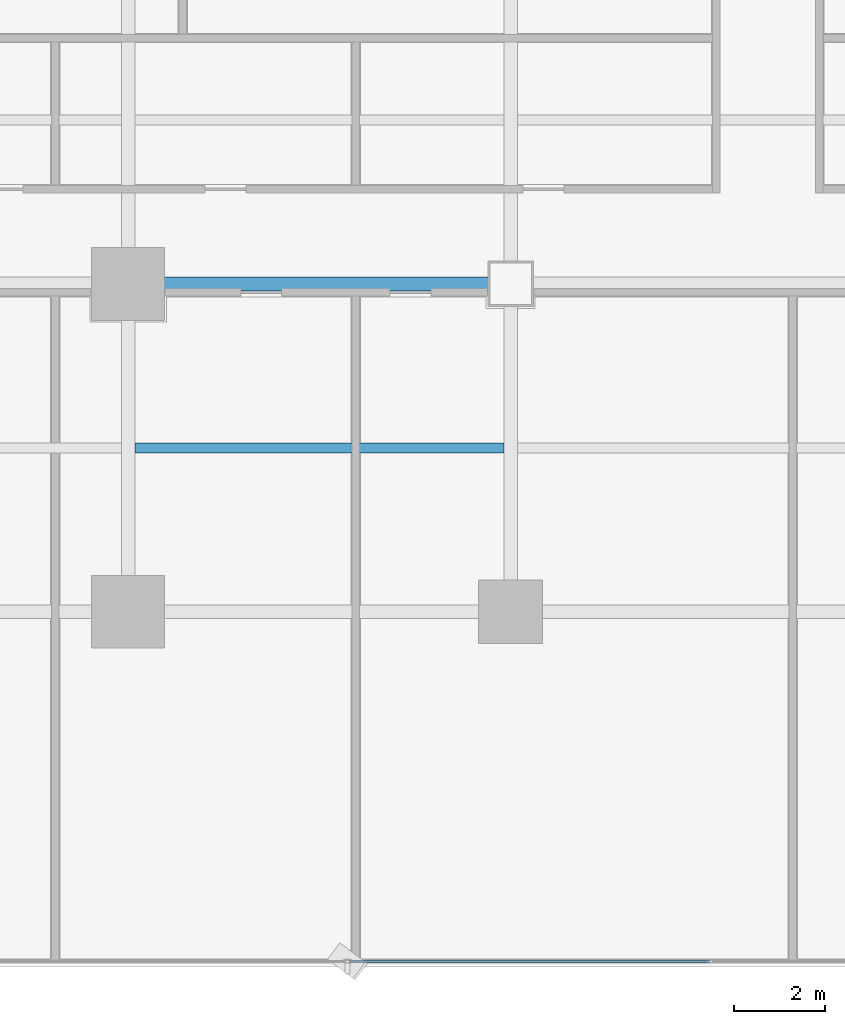
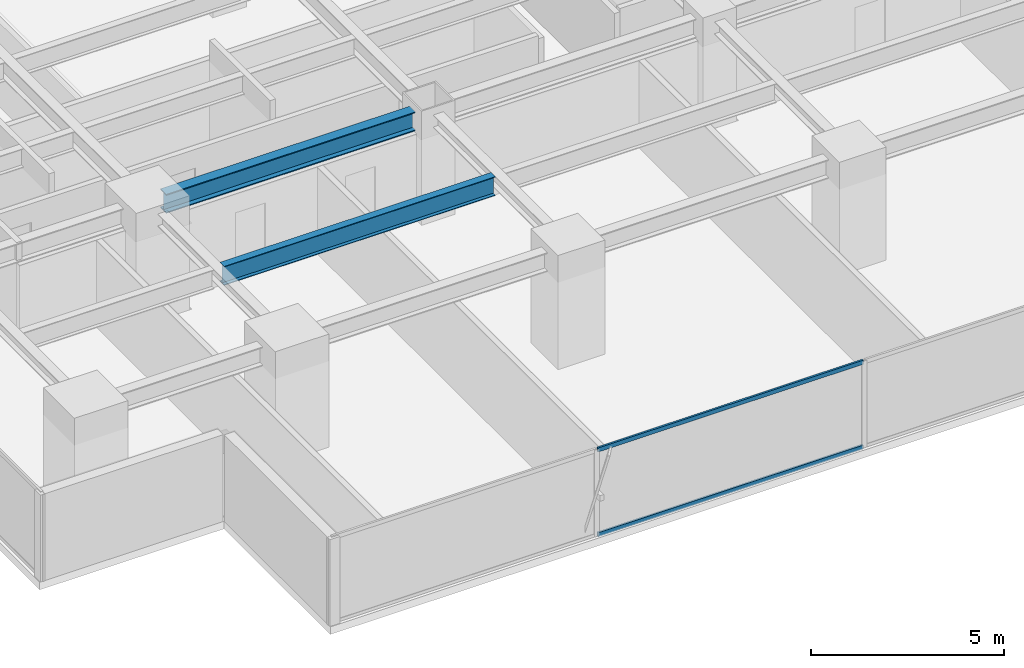
# One storey, part 5 of 34: 2 beams, 2 members, 1 element without a shape of its own.
"""IFC4 building model written with IfcOpenShell, lengths in metres."""

from ifc_helpers import new_model, si_unit, direction, frame, origin, origin_2d, place, context, subcontext, project, spatial, hollow_rectangle, i_section, extrude, source, transform, mapped, material, layer, layer_set, material_profile, profile_set, type_object, element, aggregate, save


model = new_model("IFC4")

# Units and contexts
model_context = context("Model", 3, precision=1e-05, world=origin(), true_north=direction((0.0, 1.0)))
body_context = subcontext(model_context, "Body", "Model", "MODEL_VIEW")
ifc_project = project(units=[si_unit("LENGTHUNIT", "METRE"), si_unit("AREAUNIT", "SQUARE_METRE"), si_unit("VOLUMEUNIT", "CUBIC_METRE"), si_unit("PLANEANGLEUNIT", "RADIAN"), si_unit("MASSUNIT", "GRAM", prefix="KILO")], contexts=[model_context])

# Site, building, storey
site_placement = place(None, origin())
site = spatial("IfcSite", under=ifc_project, at=site_placement, CompositionType="ELEMENT")
building_placement = place(site_placement, origin())
building = spatial("IfcBuilding", under=site, at=building_placement, Name="Sumidabori Civic Tower", CompositionType="ELEMENT")
storey_placement = place(building_placement, frame((0.0, 0.0, 106.39990234375)))
storey = spatial("IfcBuildingStorey", under=building, at=storey_placement, Name="L27", CompositionType="ELEMENT", Elevation=106.39990234375)

# Beams
ifc_material_1 = material(Name="Steel SN490", Category="steel")
ifc_material_profile_1 = material_profile(ifc_material_1, i_section(OverallWidth=0.300048828125, OverallDepth=0.60009765625, WebThickness=0.015380859375, FlangeThickness=0.030029296875, at=origin_2d()), Name="HE 600 B")
ifc_profile_set_1 = profile_set([ifc_material_profile_1], Name="Steel SN490")
beam_type_1 = type_object("IfcBeamType", Name="BM-GIRD-600", PredefinedType="BEAM", material=ifc_profile_set_1)
shared_shape_1 = source(origin(), body_context, "Body", "SweptSolid", [
    extrude(i_section(OverallWidth=0.300048828125, OverallDepth=0.60009765625, WebThickness=0.015380859375, FlangeThickness=0.030029296875, at=origin_2d()), origin(), (0.0, 0.0, 1.0), 7.440185546875),
])
beam_1_placement = place(storey_placement, frame((-16.320068359375, -10.800048828125, 3.06005859375), z_axis=(1.0, 0.0, 0.0), x_axis=(0.0, 1.0, 0.0)))
element("IfcBeam", 1, at=beam_1_placement, inside=storey, type_object=beam_type_1, Name="Primary Girder L27 GX-08", PredefinedType="BEAM", context=body_context, shape_type="MappedRepresentation", body=[
    mapped(shared_shape_1, transform((0.0, 0.0, 0.0), x_axis=(1.0, 0.0, 0.0), y_axis=(0.0, 1.0, 0.0), z_axis=(0.0, 0.0, 1.0), scale=1.0)),
])
ifc_material_profile_2 = material_profile(ifc_material_1, i_section(OverallWidth=0.219970703125, OverallDepth=0.60009765625, WebThickness=0.011962890625, FlangeThickness=0.01904296875, at=origin_2d()), Name="IPE 600")
ifc_profile_set_2 = profile_set([ifc_material_profile_2], Name="Steel SN490")
beam_type_2 = type_object("IfcBeamType", Name="BM-JST-600", PredefinedType="JOIST", material=ifc_profile_set_2)
shared_shape_2 = source(origin(), body_context, "Body", "SweptSolid", [
    extrude(i_section(OverallWidth=0.219970703125, OverallDepth=0.60009765625, WebThickness=0.011962890625, FlangeThickness=0.01904296875, at=origin_2d()), origin(), (0.0, 0.0, 1.0), 8.099853515625),
])
beam_2_placement = place(storey_placement, frame((-16.64990234375, -14.39990234375, 3.06005859375), z_axis=(1.0, 0.0, 0.0), x_axis=(0.0, 1.0, 0.0)))
element("IfcBeam", 2, at=beam_2_placement, inside=storey, type_object=beam_type_2, Name="South Bay Floor Joist L27 JSTS-55", PredefinedType="JOIST", context=body_context, shape_type="MappedRepresentation", body=[
    mapped(shared_shape_2, transform((0.0, 0.0, 0.0), x_axis=(1.0, 0.0, 0.0), y_axis=(0.0, 1.0, 0.0), z_axis=(0.0, 0.0, 1.0), scale=1.0)),
])

# Curtain wall, members
ifc_material_2 = material(Name="Anodised Bronze Aluminium AW-6063-T6", Category="aluminium")
ifc_layer = layer(ifc_material_2, 0.179931640625, Name="Anodised Bronze Aluminium AW-6063-T6")
ifc_layer_set = layer_set([ifc_layer], Name="Anodised Bronze Aluminium AW-6063-T6")
curtain_wall_type = type_object("IfcCurtainWallType", Name="CW-SYS-3", PredefinedType="NOTDEFINED", material=ifc_layer_set)
curtain_wall_placement = place(storey_placement, origin())
curtain_wall = element("IfcCurtainWall", 3, at=curtain_wall_placement, inside=storey, type_object=curtain_wall_type, Name="Curtain Wall CW:L27:R01", PredefinedType="NOTDEFINED")
ifc_material_profile_3 = material_profile(ifc_material_2, hollow_rectangle(XDim=0.06005859375, YDim=0.1298828125, WallThickness=0.0048828125, at=origin_2d()), Name="ALU TRANSOM 130x60")
ifc_profile_set_3 = profile_set([ifc_material_profile_3], Name="Anodised Bronze Aluminium AW-6063-T6")
member_type = type_object("IfcMemberType", Name="CW-TRN-130", PredefinedType="USERDEFINED", material=ifc_profile_set_3)
shared_shape_3 = source(origin(), body_context, "Body", "SweptSolid", [
    extrude(hollow_rectangle(XDim=0.06005859375, YDim=0.1298828125, WallThickness=0.0048828125, at=origin_2d()), origin(), (0.0, 0.0, 1.0), 7.9228515625),
])
member_1_placement = place(storey_placement, frame((-11.949462890625, -25.679931640625, 0.030029296875), z_axis=(1.0, 0.0, 0.0), x_axis=(0.0, 1.0, 0.0)))
member_1 = element("IfcMember", 4, at=member_1_placement, type_object=member_type, Name="CW-3 transom 2.1", ObjectType="TRANSOM", PredefinedType="USERDEFINED", context=body_context, shape_type="MappedRepresentation", body=[
    mapped(shared_shape_3, transform((0.0, 0.0, 0.0), x_axis=(1.0, 0.0, 0.0), y_axis=(0.0, 1.0, 0.0), z_axis=(0.0, 0.0, 1.0), scale=1.0)),
])
member_2_placement = place(storey_placement, frame((-11.949462890625, -25.679931640625, 2.710205078125), z_axis=(1.0, 0.0, 0.0), x_axis=(0.0, 1.0, 0.0)))
member_2 = element("IfcMember", 5, at=member_2_placement, type_object=member_type, Name="CW-3 transom 2.2", ObjectType="TRANSOM", PredefinedType="USERDEFINED", context=body_context, shape_type="MappedRepresentation", body=[
    mapped(shared_shape_3, transform((0.0, 0.0, 0.0), x_axis=(1.0, 0.0, 0.0), y_axis=(0.0, 1.0, 0.0), z_axis=(0.0, 0.0, 1.0), scale=1.0)),
])
aggregate(curtain_wall, [member_1, member_2])

save(model, "model.ifc")
